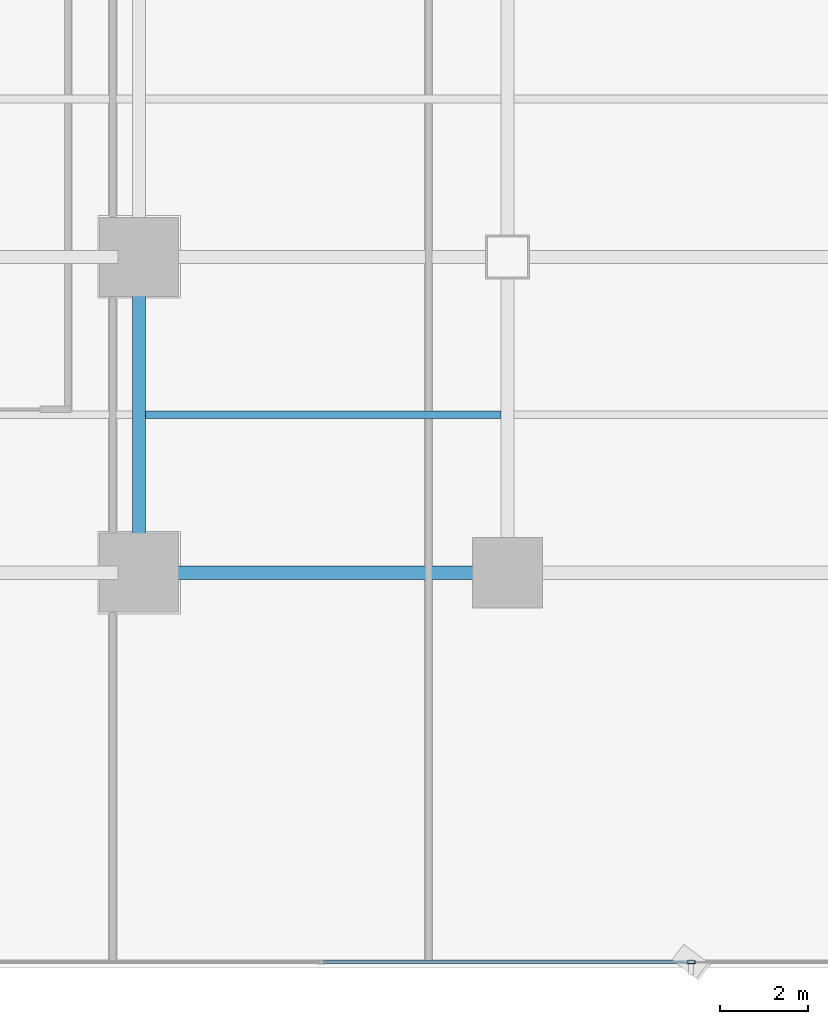
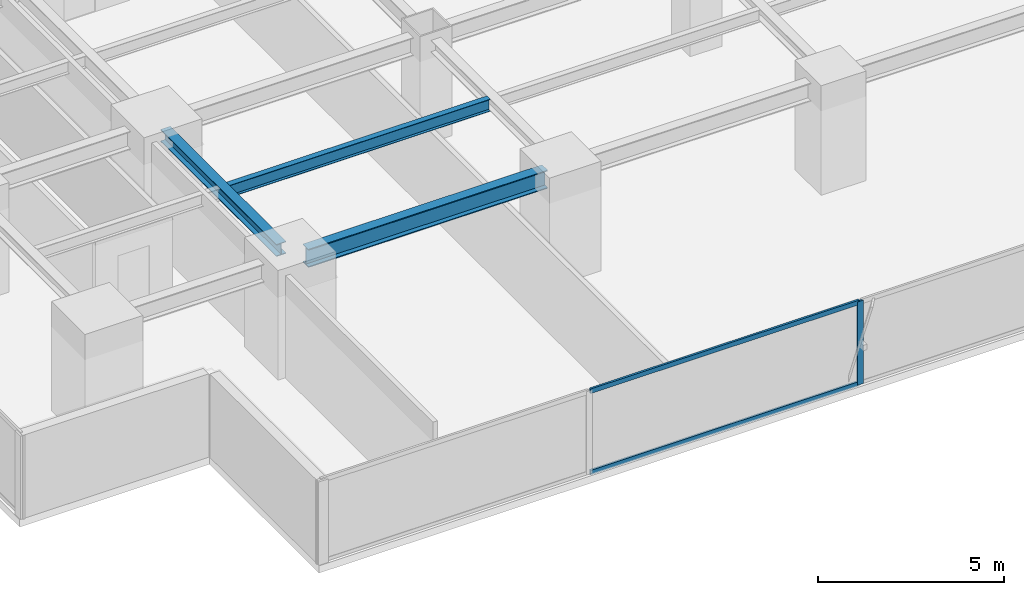
# One storey, part 4 of 32: 3 beams, 3 members, 1 element without a shape of its own.
"""IFC4 building model written with IfcOpenShell, lengths in metres."""

from ifc_helpers import new_model, si_unit, direction, frame, origin, origin_2d, place, context, subcontext, project, spatial, hollow_rectangle, i_section, extrude, source, transform, mapped, material, layer, layer_set, material_profile, profile_set, type_object, element, aggregate, save


model = new_model("IFC4")

# Units and contexts
model_context = context("Model", 3, precision=1e-05, world=origin(), true_north=direction((0.0, 1.0)))
body_context = subcontext(model_context, "Body", "Model", "MODEL_VIEW")
ifc_project = project(units=[si_unit("LENGTHUNIT", "METRE"), si_unit("AREAUNIT", "SQUARE_METRE"), si_unit("VOLUMEUNIT", "CUBIC_METRE"), si_unit("PLANEANGLEUNIT", "RADIAN"), si_unit("MASSUNIT", "GRAM", prefix="KILO")], contexts=[model_context])

# Site, building, storey
site_placement = place(None, origin())
site = spatial("IfcSite", under=ifc_project, at=site_placement, CompositionType="ELEMENT")
building_placement = place(site_placement, origin())
building = spatial("IfcBuilding", under=site, at=building_placement, Name="Sumidabori Civic Tower", CompositionType="ELEMENT")
storey_placement = place(building_placement, frame((0.0, 0.0, 48.800048828125)))
storey = spatial("IfcBuildingStorey", under=building, at=storey_placement, Name="L12", CompositionType="ELEMENT", Elevation=48.800048828125)

# Beams
ifc_material_1 = material(Name="Steel SN490", Category="steel")
ifc_material_profile_1 = material_profile(ifc_material_1, i_section(OverallWidth=0.300048828125, OverallDepth=0.60009765625, WebThickness=0.015380859375, FlangeThickness=0.030029296875, at=origin_2d()), Name="HE 600 B")
ifc_profile_set_1 = profile_set([ifc_material_profile_1], Name="Steel SN490")
beam_type_1 = type_object("IfcBeamType", Name="BM-GIRD-600", PredefinedType="BEAM", material=ifc_profile_set_1)
shared_shape_1 = source(origin(), body_context, "Body", "SweptSolid", [
    extrude(i_section(OverallWidth=0.300048828125, OverallDepth=0.60009765625, WebThickness=0.015380859375, FlangeThickness=0.030029296875, at=origin_2d()), origin(), (0.0, 0.0, 1.0), 7.440185546875),
])
beam_1_placement = place(storey_placement, frame((-16.320068359375, -18.0, 3.06005859375), z_axis=(1.0, 0.0, 0.0), x_axis=(0.0, 1.0, 0.0)))
element("IfcBeam", 1, at=beam_1_placement, inside=storey, type_object=beam_type_1, Name="Primary Girder L12 GX-02", PredefinedType="BEAM", context=body_context, shape_type="MappedRepresentation", body=[
    mapped(shared_shape_1, transform((0.0, 0.0, 0.0), x_axis=(1.0, 0.0, 0.0), y_axis=(0.0, 1.0, 0.0), z_axis=(0.0, 0.0, 1.0), scale=1.0)),
])
ifc_material_profile_2 = material_profile(ifc_material_1, i_section(OverallWidth=0.300048828125, OverallDepth=0.39990234375, WebThickness=0.013427734375, FlangeThickness=0.02392578125, at=origin_2d()), Name="HE 400 B")
ifc_profile_set_2 = profile_set([ifc_material_profile_2], Name="Steel SN490")
beam_type_2 = type_object("IfcBeamType", Name="BM-GIRD-400", PredefinedType="BEAM", material=ifc_profile_set_2)
shared_shape_2 = source(origin(), body_context, "Body", "SweptSolid", [
    extrude(i_section(OverallWidth=0.300048828125, OverallDepth=0.39990234375, WebThickness=0.013427734375, FlangeThickness=0.02392578125, at=origin_2d()), origin(), (0.0, 0.0, 1.0), 6.239990234375),
])
beam_2_placement = place(storey_placement, frame((-16.800048828125, -17.52001953125, 3.159912109375), z_axis=(0.0, 1.0, 0.0), x_axis=(-1.0, 0.0, 0.0)))
element("IfcBeam", 2, at=beam_2_placement, inside=storey, type_object=beam_type_2, Name="Primary Girder L12 GY-25", PredefinedType="BEAM", context=body_context, shape_type="MappedRepresentation", body=[
    mapped(shared_shape_2, transform((0.0, 0.0, 0.0), x_axis=(1.0, 0.0, 0.0), y_axis=(0.0, 1.0, 0.0), z_axis=(0.0, 0.0, 1.0), scale=1.0)),
])
ifc_material_profile_3 = material_profile(ifc_material_1, i_section(OverallWidth=0.179931640625, OverallDepth=0.39990234375, WebThickness=0.008544921875, FlangeThickness=0.013427734375, at=origin_2d()), Name="IPE 400")
ifc_profile_set_3 = profile_set([ifc_material_profile_3], Name="Steel SN490")
beam_type_3 = type_object("IfcBeamType", Name="BM-JST-400", PredefinedType="JOIST", material=ifc_profile_set_3)
shared_shape_3 = source(origin(), body_context, "Body", "SweptSolid", [
    extrude(i_section(OverallWidth=0.179931640625, OverallDepth=0.39990234375, WebThickness=0.008544921875, FlangeThickness=0.013427734375, at=origin_2d()), origin(), (0.0, 0.0, 1.0), 8.099853515625),
])
beam_3_placement = place(storey_placement, frame((-16.64990234375, -14.39990234375, 3.159912109375), z_axis=(1.0, 0.0, 0.0), x_axis=(0.0, 1.0, 0.0)))
element("IfcBeam", 3, at=beam_3_placement, inside=storey, type_object=beam_type_3, Name="South Bay Floor Joist L12 JSTS-61", PredefinedType="JOIST", context=body_context, shape_type="MappedRepresentation", body=[
    mapped(shared_shape_3, transform((0.0, 0.0, 0.0), x_axis=(1.0, 0.0, 0.0), y_axis=(0.0, 1.0, 0.0), z_axis=(0.0, 0.0, 1.0), scale=1.0)),
])

# Curtain wall, members
ifc_material_2 = material(Name="Anodised Bronze Aluminium AW-6063-T6", Category="aluminium")
ifc_layer = layer(ifc_material_2, 0.179931640625, Name="Anodised Bronze Aluminium AW-6063-T6")
ifc_layer_set = layer_set([ifc_layer], Name="Anodised Bronze Aluminium AW-6063-T6")
curtain_wall_type = type_object("IfcCurtainWallType", Name="CW-SYS-2", PredefinedType="NOTDEFINED", material=ifc_layer_set)
curtain_wall_placement = place(storey_placement, origin())
curtain_wall = element("IfcCurtainWall", 4, at=curtain_wall_placement, inside=storey, type_object=curtain_wall_type, Name="Curtain Wall CW:L12:R01", PredefinedType="NOTDEFINED")
ifc_material_profile_4 = material_profile(ifc_material_2, hollow_rectangle(XDim=0.070068359375, YDim=0.179931640625, WallThickness=0.006103515625, at=origin_2d()), Name="ALU MULLION 180x70")
ifc_profile_set_4 = profile_set([ifc_material_profile_4], Name="Anodised Bronze Aluminium AW-6063-T6")
member_type_1 = type_object("IfcMemberType", Name="CW-MUL-180", PredefinedType="MULLION", material=ifc_profile_set_4)
shared_shape_4 = source(origin(), body_context, "Body", "SweptSolid", [
    extrude(hollow_rectangle(XDim=0.070068359375, YDim=0.179931640625, WallThickness=0.006103515625, at=origin_2d()), origin(), (0.0, 0.0, 1.0), 2.739990234375),
])
member_1_placement = place(storey_placement, frame((-4.214111328125, -26.8798828125, 0.0), z_axis=(0.0, 0.0, 1.0), x_axis=(0.0, 1.0, 0.0)))
member_1 = element("IfcMember", 5, at=member_1_placement, type_object=member_type_1, Name="CW-2 mullion 3", PredefinedType="MULLION", context=body_context, shape_type="MappedRepresentation", body=[
    mapped(shared_shape_4, transform((0.0, 0.0, 0.0), x_axis=(1.0, 0.0, 0.0), y_axis=(0.0, 1.0, 0.0), z_axis=(0.0, 0.0, 1.0), scale=1.0)),
])
ifc_material_profile_5 = material_profile(ifc_material_2, hollow_rectangle(XDim=0.06494140625, YDim=0.14990234375, WallThickness=0.0048828125, at=origin_2d()), Name="ALU TRANSOM 150x65")
ifc_profile_set_5 = profile_set([ifc_material_profile_5], Name="Anodised Bronze Aluminium AW-6063-T6")
member_type_2 = type_object("IfcMemberType", Name="CW-TRN-150", PredefinedType="USERDEFINED", material=ifc_profile_set_5)
shared_shape_5 = source(origin(), body_context, "Body", "SweptSolid", [
    extrude(hollow_rectangle(XDim=0.06494140625, YDim=0.14990234375, WallThickness=0.0048828125, at=origin_2d()), origin(), (0.0, 0.0, 1.0), 8.35791015625),
])
member_2_placement = place(storey_placement, frame((-12.60693359375, -26.8798828125, 0.032470703125), z_axis=(1.0, 0.0, 0.0), x_axis=(0.0, 1.0, 0.0)))
member_2 = element("IfcMember", 6, at=member_2_placement, type_object=member_type_2, Name="CW-2 transom 2.1", ObjectType="TRANSOM", PredefinedType="USERDEFINED", context=body_context, shape_type="MappedRepresentation", body=[
    mapped(shared_shape_5, transform((0.0, 0.0, 0.0), x_axis=(1.0, 0.0, 0.0), y_axis=(0.0, 1.0, 0.0), z_axis=(0.0, 0.0, 1.0), scale=1.0)),
])
member_3_placement = place(storey_placement, frame((-12.60693359375, -26.8798828125, 2.70751953125), z_axis=(1.0, 0.0, 0.0), x_axis=(0.0, 1.0, 0.0)))
member_3 = element("IfcMember", 7, at=member_3_placement, type_object=member_type_2, Name="CW-2 transom 2.2", ObjectType="TRANSOM", PredefinedType="USERDEFINED", context=body_context, shape_type="MappedRepresentation", body=[
    mapped(shared_shape_5, transform((0.0, 0.0, 0.0), x_axis=(1.0, 0.0, 0.0), y_axis=(0.0, 1.0, 0.0), z_axis=(0.0, 0.0, 1.0), scale=1.0)),
])
aggregate(curtain_wall, [member_1, member_2, member_3])

save(model, "model.ifc")
